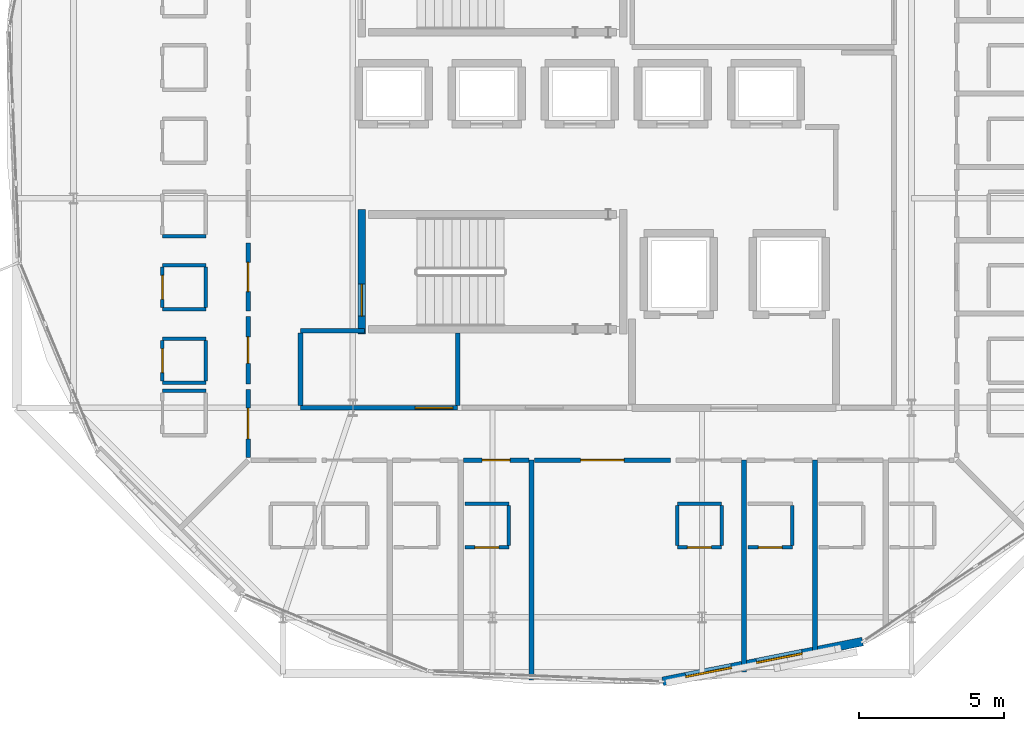
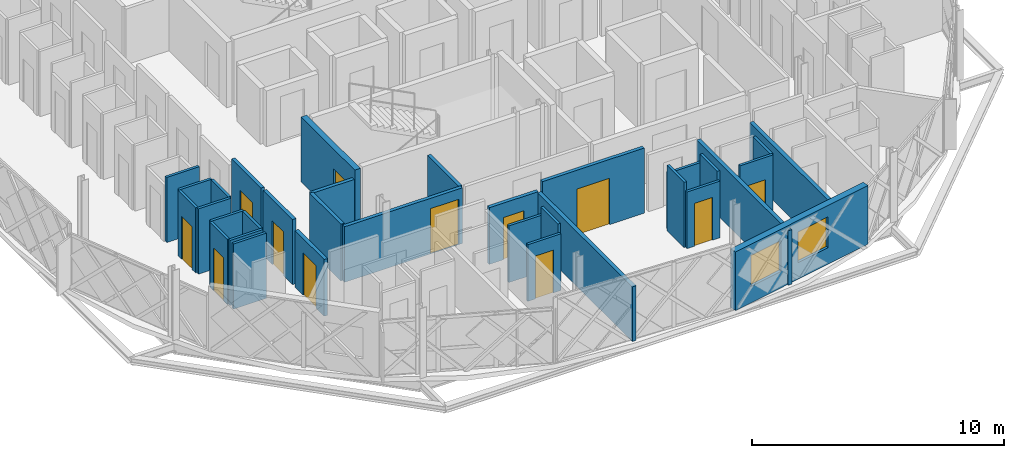
# One storey, part 13 of 24: 33 walls, 12 doors, 2 windows, 14 openings.
"""IFC4 building model written with IfcOpenShell, lengths in metres."""

from ifc_helpers import new_model, si_unit, direction, frame, frame_2d, origin, place, context, subcontext, project, spatial, rectangle, extrude, material, layer, layer_set, type_object, element, fill, save


model = new_model("IFC4")

# Units and contexts
model_context = context("Model", 3, precision=1e-05, world=origin(), true_north=direction((0.0, 1.0)))
body_context = subcontext(model_context, "Body", "Model", "MODEL_VIEW")
ifc_project = project(units=[si_unit("LENGTHUNIT", "METRE"), si_unit("AREAUNIT", "SQUARE_METRE"), si_unit("VOLUMEUNIT", "CUBIC_METRE"), si_unit("PLANEANGLEUNIT", "RADIAN"), si_unit("MASSUNIT", "GRAM", prefix="KILO")], contexts=[model_context])

# Site, building, storey
site_placement = place(None, origin())
site = spatial("IfcSite", under=ifc_project, at=site_placement, CompositionType="ELEMENT")
building_placement = place(site_placement, origin())
building = spatial("IfcBuilding", under=site, at=building_placement, Name="Zevrakil Square Congress Hotel", CompositionType="ELEMENT")
storey_placement = place(building_placement, frame((0.0, 0.0, 35.10009765625)))
storey = spatial("IfcBuildingStorey", under=building, at=storey_placement, Name="L10", CompositionType="ELEMENT", Elevation=35.10009765625)

# Wall, opening, door
ifc_material_1 = material(Name="Gypsum Acoustic Stud Partition")
ifc_layer_1 = layer(ifc_material_1, 0.159912109375)
ifc_layer_set_1 = layer_set([ifc_layer_1], Name="Gypsum Acoustic Stud Partition")
wall_type_1 = type_object("IfcWallType", Name="WAL-CORR-160", PredefinedType="PARTITIONING", material=ifc_layer_set_1)
wall_1_placement = place(storey_placement, frame((135.0, 16.800048828125, 0.0), z_axis=(0.0, 0.0, 1.0), x_axis=(1.0, 0.0, 0.0)))
wall_1 = element("IfcWall", 1, at=wall_1_placement, inside=storey, type_object=wall_type_1, Name="L10 interior partition PW-L10-1563", PredefinedType="PARTITIONING", context=body_context, shape_type="SweptSolid", body=[
    extrude(rectangle(XDim=5.39990234375, YDim=0.159912109375, at=frame_2d((2.699951171875, 0.0))), origin(), (0.0, 0.0, 1.0), 2.699951171875),
])
opening_1_placement = place(wall_1_placement, frame((3.93994140625, 0.0, 0.0)))
opening_1 = element("IfcOpeningElement", 2, at=opening_1_placement, cuts=wall_1, Name="Opening ID-08", PredefinedType="OPENING", context=body_context, shape_type="SweptSolid", body=[
    extrude(rectangle(XDim=1.300048828125, YDim=2.199951171875, at=frame_2d((0.64990234375, 1.10009765625))), frame((0.0, 0.08984375, 0.0), z_axis=(0.0, -1.0, 0.0), x_axis=(1.0, 0.0, 0.0)), (0.0, 0.0, 1.0), 0.179931640625),
])
ifc_material_2 = material(Name="Service Corridor Leaf-and-Half Door")
door_type_1 = type_object("IfcDoorType", Name="DOR-BOH-130", OperationType="NOTDEFINED", PredefinedType="DOOR", material=ifc_material_2)
door_1_placement = place(opening_1_placement, origin())
door_1 = element("IfcDoor", 3, at=door_1_placement, inside=storey, type_object=door_type_1, Name="L10 interior door 609", OperationType="SINGLE_SWING_LEFT", OverallHeight=2.199951171875, OverallWidth=1.300048828125, PredefinedType="DOOR", context=body_context, shape_type="SweptSolid", body=[
    extrude(rectangle(XDim=1.300048828125, YDim=2.199951171875, at=frame_2d((0.64990234375, 1.10009765625))), frame((0.0, 0.02490234375, 0.0), z_axis=(0.0, -1.0, 0.0), x_axis=(1.0, 0.0, 0.0)), (0.0, 0.0, 1.0), 0.050048828125),
])
fill(opening_1, door_1)

# Walls
wall_2_placement = place(storey_placement, frame((135.0, 16.885009765625, 0.0), z_axis=(0.0, 0.0, 1.0), x_axis=(0.0, 1.0, 0.0)))
element("IfcWall", 4, at=wall_2_placement, inside=storey, type_object=wall_type_1, Name="L10 interior partition PW-L10-1564", PredefinedType="PARTITIONING", context=body_context, shape_type="SweptSolid", body=[
    extrude(rectangle(XDim=2.47998046875, YDim=0.159912109375, at=frame_2d((1.239990234375, 0.0))), origin(), (0.0, 0.0, 1.0), 2.75),
])
wall_3_placement = place(storey_placement, frame((140.39990234375, 16.885009765625, 0.0), z_axis=(0.0, 0.0, 1.0), x_axis=(0.0, 1.0, 0.0)))
element("IfcWall", 5, at=wall_3_placement, inside=storey, type_object=wall_type_1, Name="L10 interior partition PW-L10-1565", PredefinedType="PARTITIONING", context=body_context, shape_type="SweptSolid", body=[
    extrude(rectangle(XDim=2.47998046875, YDim=0.159912109375, at=frame_2d((1.239990234375, 0.0))), origin(), (0.0, 0.0, 1.0), 2.699951171875),
])
wall_4_placement = place(storey_placement, frame((135.0, 19.449951171875, 0.0), z_axis=(0.0, 0.0, 1.0), x_axis=(1.0, 0.0, 0.0)))
element("IfcWall", 6, at=wall_4_placement, inside=storey, type_object=wall_type_1, Name="L10 interior partition PW-L10-1566", PredefinedType="PARTITIONING", context=body_context, shape_type="SweptSolid", body=[
    extrude(rectangle(XDim=2.199951171875, YDim=0.159912109375, at=frame_2d((1.10009765625, 0.0))), origin(), (0.0, 0.0, 1.0), 2.699951171875),
])

# Wall, opening, door
wall_5_placement = place(storey_placement, frame((143.034912109375, 15.0, 0.0), z_axis=(0.0, 0.0, 1.0), x_axis=(1.0, 0.0, 0.0)))
wall_5 = element("IfcWall", 7, at=wall_5_placement, inside=storey, type_object=wall_type_1, Name="L10 interior partition PW-L10-1581", PredefinedType="PARTITIONING", context=body_context, shape_type="SweptSolid", body=[
    extrude(rectangle(XDim=4.68017578125, YDim=0.159912109375, at=frame_2d((2.340087890625, 0.0))), origin(), (0.0, 0.0, 1.0), 3.164794921875),
])
opening_2_placement = place(wall_5_placement, frame((1.590087890625, 0.0, 0.0)))
opening_2 = element("IfcOpeningElement", 8, at=opening_2_placement, cuts=wall_5, Name="Opening ID-03", PredefinedType="OPENING", context=body_context, shape_type="SweptSolid", body=[
    extrude(rectangle(XDim=1.5, YDim=2.25, at=frame_2d((0.75, 1.125))), frame((0.0, 0.08984375, 0.0), z_axis=(0.0, -1.0, 0.0), x_axis=(1.0, 0.0, 0.0)), (0.0, 0.0, 1.0), 0.179931640625),
])
ifc_material_3 = material(Name="Acoustic Double Meeting Door")
door_type_2 = type_object("IfcDoorType", Name="DOR-MTG-150", OperationType="NOTDEFINED", PredefinedType="DOOR", material=ifc_material_3)
door_2_placement = place(opening_2_placement, origin())
door_2 = element("IfcDoor", 9, at=door_2_placement, inside=storey, type_object=door_type_2, Name="L10 interior door 614", OperationType="DOUBLE_DOOR_SINGLE_SWING", OverallHeight=2.25, OverallWidth=1.5, PredefinedType="DOOR", context=body_context, shape_type="SweptSolid", body=[
    extrude(rectangle(XDim=1.5, YDim=2.25, at=frame_2d((0.75, 1.125))), frame((0.0, 0.02490234375, 0.0), z_axis=(0.0, -1.0, 0.0), x_axis=(1.0, 0.0, 0.0)), (0.0, 0.0, 1.0), 0.050048828125),
])
fill(opening_2, door_2)

wall_6_placement = place(storey_placement, frame((140.60009765625, 15.0, 0.0), z_axis=(0.0, 0.0, 1.0), x_axis=(1.0, 0.0, 0.0)))
wall_6 = element("IfcWall", 10, at=wall_6_placement, inside=storey, type_object=wall_type_1, Name="L10 interior partition PW-L10-1599", PredefinedType="PARTITIONING", context=body_context, shape_type="SweptSolid", body=[
    extrude(rectangle(XDim=2.244873046875, YDim=0.159912109375, at=frame_2d((1.12255859375, 0.0))), origin(), (0.0, 0.0, 1.0), 2.75),
])
opening_3_placement = place(wall_6_placement, frame((0.64501953125, 0.0, 0.0)))
opening_3 = element("IfcOpeningElement", 11, at=opening_3_placement, cuts=wall_6, Name="Opening ID-G05", PredefinedType="OPENING", context=body_context, shape_type="SweptSolid", body=[
    extrude(rectangle(XDim=0.955078125, YDim=2.050048828125, at=frame_2d((0.4775390625, 1.02490234375))), frame((0.0, 0.08984375, 0.0), z_axis=(0.0, -1.0, 0.0), x_axis=(1.0, 0.0, 0.0)), (0.0, 0.0, 1.0), 0.179931640625),
])
ifc_material_4 = material(Name="Acoustic Timber Fire Door", Category="wood")
door_type_3 = type_object("IfcDoorType", Name="DOR-INT-G05", OperationType="NOTDEFINED", PredefinedType="DOOR", material=ifc_material_4)
door_3_placement = place(opening_3_placement, origin())
door_3 = element("IfcDoor", 12, at=door_3_placement, inside=storey, type_object=door_type_3, Name="L10 interior door 621", OperationType="SINGLE_SWING_LEFT", OverallHeight=2.050048828125, OverallWidth=0.955078125, PredefinedType="DOOR", context=body_context, shape_type="SweptSolid", body=[
    extrude(rectangle(XDim=0.955078125, YDim=2.050048828125, at=frame_2d((0.4775390625, 1.02490234375))), frame((0.0, 0.02490234375, 0.0), z_axis=(0.0, -1.0, 0.0), x_axis=(1.0, 0.0, 0.0)), (0.0, 0.0, 1.0), 0.050048828125),
])
fill(opening_3, door_3)

wall_7_placement = place(storey_placement, frame((133.199951171875, 20.135009765625, 0.0), z_axis=(0.0, 0.0, 1.0), x_axis=(0.0, 1.0, 0.0)))
wall_7 = element("IfcWall", 13, at=wall_7_placement, inside=storey, type_object=wall_type_1, Name="L10 interior partition PW-L10-1762", PredefinedType="PARTITIONING", context=body_context, shape_type="SweptSolid", body=[
    extrude(rectangle(XDim=2.330078125, YDim=0.159912109375, at=frame_2d((1.1650390625, 0.0))), origin(), (0.0, 0.0, 1.0), 3.164794921875),
])
opening_4_placement = place(wall_7_placement, frame((0.66259765625, 0.0, 0.0)))
opening_4 = element("IfcOpeningElement", 14, at=opening_4_placement, cuts=wall_7, Name="Opening ID-G07", PredefinedType="OPENING", context=body_context, shape_type="SweptSolid", body=[
    extrude(rectangle(XDim=1.0048828125, YDim=2.050048828125, at=frame_2d((0.50244140625, 1.02490234375))), frame((0.0, 0.08984375, 0.0), z_axis=(0.0, -1.0, 0.0), x_axis=(1.0, 0.0, 0.0)), (0.0, 0.0, 1.0), 0.179931640625),
])
ifc_material_5 = material(Name="Acoustic Timber Fire Door", Category="wood")
door_type_4 = type_object("IfcDoorType", Name="DOR-INT-G07", OperationType="NOTDEFINED", PredefinedType="DOOR", material=ifc_material_5)
door_4_placement = place(opening_4_placement, origin())
door_4 = element("IfcDoor", 15, at=door_4_placement, inside=storey, type_object=door_type_4, Name="L10 interior door 685", OperationType="SINGLE_SWING_LEFT", OverallHeight=2.050048828125, OverallWidth=1.0048828125, PredefinedType="DOOR", context=body_context, shape_type="SweptSolid", body=[
    extrude(rectangle(XDim=1.0048828125, YDim=2.050048828125, at=frame_2d((0.50244140625, 1.02490234375))), frame((0.0, 0.02490234375, 0.0), z_axis=(0.0, -1.0, 0.0), x_axis=(1.0, 0.0, 0.0)), (0.0, 0.0, 1.0), 0.050048828125),
])
fill(opening_4, door_4)

wall_8_placement = place(storey_placement, frame((133.199951171875, 17.614990234375, 0.0), z_axis=(0.0, 0.0, 1.0), x_axis=(0.0, 1.0, 0.0)))
wall_8 = element("IfcWall", 16, at=wall_8_placement, inside=storey, type_object=wall_type_1, Name="L10 interior partition PW-L10-1767", PredefinedType="PARTITIONING", context=body_context, shape_type="SweptSolid", body=[
    extrude(rectangle(XDim=2.330078125, YDim=0.159912109375, at=frame_2d((1.1650390625, 0.0))), origin(), (0.0, 0.0, 1.0), 3.164794921875),
])
opening_5_placement = place(wall_8_placement, frame((0.708984375, 0.0, 0.0)))
opening_5 = element("IfcOpeningElement", 17, at=opening_5_placement, cuts=wall_8, Name="Opening ID-H06", PredefinedType="OPENING", context=body_context, shape_type="SweptSolid", body=[
    extrude(rectangle(XDim=0.912109375, YDim=2.1298828125, at=frame_2d((0.4560546875, 1.06494140625))), frame((0.0, 0.08984375, 0.0), z_axis=(0.0, -1.0, 0.0), x_axis=(1.0, 0.0, 0.0)), (0.0, 0.0, 1.0), 0.179931640625),
])
ifc_material_6 = material(Name="Acoustic Timber Fire Door", Category="wood")
door_type_5 = type_object("IfcDoorType", Name="DOR-INT-H06", OperationType="NOTDEFINED", PredefinedType="DOOR", material=ifc_material_6)
door_5_placement = place(opening_5_placement, origin())
door_5 = element("IfcDoor", 18, at=door_5_placement, inside=storey, type_object=door_type_5, Name="L10 interior door 687", OperationType="SINGLE_SWING_LEFT", OverallHeight=2.1298828125, OverallWidth=0.912109375, PredefinedType="DOOR", context=body_context, shape_type="SweptSolid", body=[
    extrude(rectangle(XDim=0.912109375, YDim=2.1298828125, at=frame_2d((0.4560546875, 1.06494140625))), frame((0.0, 0.02490234375, 0.0), z_axis=(0.0, -1.0, 0.0), x_axis=(1.0, 0.0, 0.0)), (0.0, 0.0, 1.0), 0.050048828125),
])
fill(opening_5, door_5)

wall_9_placement = place(storey_placement, frame((133.199951171875, 15.094970703125, 0.0), z_axis=(0.0, 0.0, 1.0), x_axis=(0.0, 1.0, 0.0)))
wall_9 = element("IfcWall", 19, at=wall_9_placement, inside=storey, type_object=wall_type_1, Name="L10 interior partition PW-L10-1772", PredefinedType="PARTITIONING", context=body_context, shape_type="SweptSolid", body=[
    extrude(rectangle(XDim=2.330078125, YDim=0.159912109375, at=frame_2d((1.1650390625, 0.0))), origin(), (0.0, 0.0, 1.0), 2.75),
])
opening_6_placement = place(wall_9_placement, frame((0.637451171875, 0.0, 0.0)))
opening_6 = element("IfcOpeningElement", 20, at=opening_6_placement, cuts=wall_9, Name="Opening ID-G09", PredefinedType="OPENING", context=body_context, shape_type="SweptSolid", body=[
    extrude(rectangle(XDim=1.054931640625, YDim=2.050048828125, at=frame_2d((0.52734375, 1.02490234375))), frame((0.0, 0.08984375, 0.0), z_axis=(0.0, -1.0, 0.0), x_axis=(1.0, 0.0, 0.0)), (0.0, 0.0, 1.0), 0.179931640625),
])
ifc_material_7 = material(Name="Acoustic Timber Fire Door", Category="wood")
door_type_6 = type_object("IfcDoorType", Name="DOR-INT-G09", OperationType="NOTDEFINED", PredefinedType="DOOR", material=ifc_material_7)
door_6_placement = place(opening_6_placement, origin())
door_6 = element("IfcDoor", 21, at=door_6_placement, inside=storey, type_object=door_type_6, Name="L10 interior door 689", OperationType="SINGLE_SWING_LEFT", OverallHeight=2.050048828125, OverallWidth=1.054931640625, PredefinedType="DOOR", context=body_context, shape_type="SweptSolid", body=[
    extrude(rectangle(XDim=1.054931640625, YDim=2.050048828125, at=frame_2d((0.52734375, 1.02490234375))), frame((0.0, 0.02490234375, 0.0), z_axis=(0.0, -1.0, 0.0), x_axis=(1.0, 0.0, 0.0)), (0.0, 0.0, 1.0), 0.050048828125),
])
fill(opening_6, door_6)

ifc_material_8 = material(Name="Moisture-Resistant Gypsum Partition")
ifc_layer_2 = layer(ifc_material_8, 0.1201171875)
ifc_layer_set_2 = layer_set([ifc_layer_2], Name="Moisture-Resistant Gypsum Partition")
wall_type_2 = type_object("IfcWallType", Name="WAL-ENS-120", PredefinedType="PARTITIONING", material=ifc_layer_set_2)
wall_10_placement = place(storey_placement, frame((140.64501953125, 12.0, 0.0), z_axis=(0.0, 0.0, 1.0), x_axis=(1.0, 0.0, 0.0)))
wall_10 = element("IfcWall", 22, at=wall_10_placement, inside=storey, type_object=wall_type_2, Name="L10 interior partition PW-L10-1600", PredefinedType="PARTITIONING", context=body_context, shape_type="SweptSolid", body=[
    extrude(rectangle(XDim=1.52001953125, YDim=0.1201171875, at=frame_2d((0.760009765625, 0.0))), origin(), (0.0, 0.0, 1.0), 2.75),
])
opening_7_placement = place(wall_10_placement, frame((0.35009765625, 0.0, 0.0)))
opening_7 = element("IfcOpeningElement", 23, at=opening_7_placement, cuts=wall_10, Name="Opening ID-11", PredefinedType="OPENING", context=body_context, shape_type="SweptSolid", body=[
    extrude(rectangle(XDim=0.820068359375, YDim=2.080078125, at=frame_2d((0.41015625, 1.0400390625))), frame((0.0, 0.070068359375, 0.0), z_axis=(0.0, -1.0, 0.0), x_axis=(1.0, 0.0, 0.0)), (0.0, 0.0, 1.0), 0.14013671875),
])
ifc_material_9 = material(Name="Acoustic Timber Door", Category="wood")
door_type_7 = type_object("IfcDoorType", Name="DOR-INT-V01", OperationType="NOTDEFINED", PredefinedType="DOOR", material=ifc_material_9)
door_7_placement = place(opening_7_placement, origin())
door_7 = element("IfcDoor", 24, at=door_7_placement, inside=storey, type_object=door_type_7, Name="L10 interior door 622", OperationType="SINGLE_SWING_RIGHT", OverallHeight=2.080078125, OverallWidth=0.820068359375, PredefinedType="DOOR", context=body_context, shape_type="SweptSolid", body=[
    extrude(rectangle(XDim=0.820068359375, YDim=2.080078125, at=frame_2d((0.41015625, 1.0400390625))), frame((0.0, 0.02490234375, 0.0), z_axis=(0.0, -1.0, 0.0), x_axis=(1.0, 0.0, 0.0)), (0.0, 0.0, 1.0), 0.050048828125),
])
fill(opening_7, door_7)

# Walls
wall_11_placement = place(storey_placement, frame((140.64501953125, 13.5, 0.0), z_axis=(0.0, 0.0, 1.0), x_axis=(1.0, 0.0, 0.0)))
element("IfcWall", 25, at=wall_11_placement, inside=storey, type_object=wall_type_2, Name="L10 interior partition PW-L10-1601", PredefinedType="PARTITIONING", context=body_context, shape_type="SweptSolid", body=[
    extrude(rectangle(XDim=1.52001953125, YDim=0.1201171875, at=frame_2d((0.760009765625, 0.0))), origin(), (0.0, 0.0, 1.0), 2.75),
])
wall_12_placement = place(storey_placement, frame((142.1650390625, 12.06494140625, 0.0), z_axis=(0.0, 0.0, 1.0), x_axis=(0.0, 1.0, 0.0)))
element("IfcWall", 26, at=wall_12_placement, inside=storey, type_object=wall_type_2, Name="L10 interior partition PW-L10-1602", PredefinedType="PARTITIONING", context=body_context, shape_type="SweptSolid", body=[
    extrude(rectangle(XDim=1.3701171875, YDim=0.1201171875, at=frame_2d((0.68505859375, 0.0))), origin(), (0.0, 0.0, 1.0), 3.164794921875),
])

# Wall, opening, door
wall_13_placement = place(storey_placement, frame((147.949951171875, 12.0, 0.0), z_axis=(0.0, 0.0, 1.0), x_axis=(1.0, 0.0, 0.0)))
wall_13 = element("IfcWall", 27, at=wall_13_placement, inside=storey, type_object=wall_type_2, Name="L10 interior partition PW-L10-1605", PredefinedType="PARTITIONING", context=body_context, shape_type="SweptSolid", body=[
    extrude(rectangle(XDim=1.52001953125, YDim=0.1201171875, at=frame_2d((0.760009765625, 0.0))), origin(), (0.0, 0.0, 1.0), 2.75),
])
opening_8_placement = place(wall_13_placement, frame((0.35009765625, 0.0, 0.0)))
opening_8 = element("IfcOpeningElement", 28, at=opening_8_placement, cuts=wall_13, Name="Opening ID-11", PredefinedType="OPENING", context=body_context, shape_type="SweptSolid", body=[
    extrude(rectangle(XDim=0.820068359375, YDim=2.080078125, at=frame_2d((0.41015625, 1.0400390625))), frame((0.0, 0.070068359375, 0.0), z_axis=(0.0, -1.0, 0.0), x_axis=(1.0, 0.0, 0.0)), (0.0, 0.0, 1.0), 0.14013671875),
])
door_8_placement = place(opening_8_placement, origin())
door_8 = element("IfcDoor", 29, at=door_8_placement, inside=storey, type_object=door_type_7, Name="L10 interior door 624", OperationType="SINGLE_SWING_RIGHT", OverallHeight=2.080078125, OverallWidth=0.820068359375, PredefinedType="DOOR", context=body_context, shape_type="SweptSolid", body=[
    extrude(rectangle(XDim=0.820068359375, YDim=2.080078125, at=frame_2d((0.41015625, 1.0400390625))), frame((0.0, 0.02490234375, 0.0), z_axis=(0.0, -1.0, 0.0), x_axis=(1.0, 0.0, 0.0)), (0.0, 0.0, 1.0), 0.050048828125),
])
fill(opening_8, door_8)

# Walls
wall_14_placement = place(storey_placement, frame((147.949951171875, 13.5, 0.0), z_axis=(0.0, 0.0, 1.0), x_axis=(1.0, 0.0, 0.0)))
element("IfcWall", 30, at=wall_14_placement, inside=storey, type_object=wall_type_2, Name="L10 interior partition PW-L10-1606", PredefinedType="PARTITIONING", context=body_context, shape_type="SweptSolid", body=[
    extrude(rectangle(XDim=1.52001953125, YDim=0.1201171875, at=frame_2d((0.760009765625, 0.0))), origin(), (0.0, 0.0, 1.0), 2.75),
])
for number, where, z_axis, x_axis, name in (
    (31, (147.949951171875, 12.06494140625, 0.0), (0.0, 0.0, 1.0), (0.0, 1.0, 0.0), "L10 interior partition PW-L10-1607"),
    (32, (149.469970703125, 12.06494140625, 0.0), (0.0, 0.0, 1.0), (0.0, 1.0, 0.0), "L10 interior partition PW-L10-1608"),
):
    element("IfcWall", number, at=place(storey_placement, frame(where, z_axis=z_axis, x_axis=x_axis)), inside=storey, type_object=wall_type_2, Name=name, PredefinedType="PARTITIONING", context=body_context, shape_type="SweptSolid", body=[
        extrude(rectangle(XDim=1.3701171875, YDim=0.1201171875, at=frame_2d((0.68505859375, 0.0))), origin(), (0.0, 0.0, 1.0), 3.164794921875),
    ])

# Wall, opening, door
wall_15_placement = place(storey_placement, frame((150.385009765625, 12.0, 0.0), z_axis=(0.0, 0.0, 1.0), x_axis=(1.0, 0.0, 0.0)))
wall_15 = element("IfcWall", 33, at=wall_15_placement, inside=storey, type_object=wall_type_2, Name="L10 interior partition PW-L10-1611", PredefinedType="PARTITIONING", context=body_context, shape_type="SweptSolid", body=[
    extrude(rectangle(XDim=1.52001953125, YDim=0.1201171875, at=frame_2d((0.760009765625, 0.0))), origin(), (0.0, 0.0, 1.0), 3.164794921875),
])
opening_9_placement = place(wall_15_placement, frame((0.35009765625, 0.0, 0.0)))
opening_9 = element("IfcOpeningElement", 34, at=opening_9_placement, cuts=wall_15, Name="Opening ID-11", PredefinedType="OPENING", context=body_context, shape_type="SweptSolid", body=[
    extrude(rectangle(XDim=0.820068359375, YDim=2.080078125, at=frame_2d((0.41015625, 1.0400390625))), frame((0.0, 0.070068359375, 0.0), z_axis=(0.0, -1.0, 0.0), x_axis=(1.0, 0.0, 0.0)), (0.0, 0.0, 1.0), 0.14013671875),
])
door_9_placement = place(opening_9_placement, origin())
door_9 = element("IfcDoor", 35, at=door_9_placement, inside=storey, type_object=door_type_7, Name="L10 interior door 626", OperationType="SINGLE_SWING_RIGHT", OverallHeight=2.080078125, OverallWidth=0.820068359375, PredefinedType="DOOR", context=body_context, shape_type="SweptSolid", body=[
    extrude(rectangle(XDim=0.820068359375, YDim=2.080078125, at=frame_2d((0.41015625, 1.0400390625))), frame((0.0, 0.02490234375, 0.0), z_axis=(0.0, -1.0, 0.0), x_axis=(1.0, 0.0, 0.0)), (0.0, 0.0, 1.0), 0.050048828125),
])
fill(opening_9, door_9)

# Walls
wall_16_placement = place(storey_placement, frame((151.905029296875, 12.06494140625, 0.0), z_axis=(0.0, 0.0, 1.0), x_axis=(0.0, 1.0, 0.0)))
element("IfcWall", 36, at=wall_16_placement, inside=storey, type_object=wall_type_2, Name="L10 interior partition PW-L10-1613", PredefinedType="PARTITIONING", context=body_context, shape_type="SweptSolid", body=[
    extrude(rectangle(XDim=1.3701171875, YDim=0.1201171875, at=frame_2d((0.68505859375, 0.0))), origin(), (0.0, 0.0, 1.0), 3.164794921875),
])
for number, where, z_axis, x_axis, name in (
    (37, (130.25, 22.699951171875, 0.0), (0.0, 0.0, 1.0), (1.0, 0.0, 0.0), "L10 interior partition PW-L10-1758"),
    (38, (130.25, 20.179931640625, 0.0), (0.0, 0.0, 1.0), (1.0, 0.0, 0.0), "L10 interior partition PW-L10-1763"),
    (39, (130.25, 21.699951171875, 0.0), (0.0, 0.0, 1.0), (1.0, 0.0, 0.0), "L10 interior partition PW-L10-1764"),
):
    element("IfcWall", number, at=place(storey_placement, frame(where, z_axis=z_axis, x_axis=x_axis)), inside=storey, type_object=wall_type_2, Name=name, PredefinedType="PARTITIONING", context=body_context, shape_type="SweptSolid", body=[
        extrude(rectangle(XDim=1.5, YDim=0.1201171875, at=frame_2d((0.75, 0.0))), origin(), (0.0, 0.0, 1.0), 3.164794921875),
    ])

# Wall, opening, door
wall_17_placement = place(storey_placement, frame((130.25, 20.2451171875, 0.0), z_axis=(0.0, 0.0, 1.0), x_axis=(0.0, 1.0, 0.0)))
wall_17 = element("IfcWall", 40, at=wall_17_placement, inside=storey, type_object=wall_type_2, Name="L10 interior partition PW-L10-1765", PredefinedType="PARTITIONING", context=body_context, shape_type="SweptSolid", body=[
    extrude(rectangle(XDim=1.389892578125, YDim=0.1201171875, at=frame_2d((0.69482421875, 0.0))), origin(), (0.0, 0.0, 1.0), 3.164794921875),
])
opening_10_placement = place(wall_17_placement, frame((0.284912109375, 0.0, 0.0)))
opening_10 = element("IfcOpeningElement", 41, at=opening_10_placement, cuts=wall_17, Name="Opening ID-11", PredefinedType="OPENING", context=body_context, shape_type="SweptSolid", body=[
    extrude(rectangle(XDim=0.820068359375, YDim=2.080078125, at=frame_2d((0.41015625, 1.0400390625))), frame((0.0, 0.070068359375, 0.0), z_axis=(0.0, -1.0, 0.0), x_axis=(1.0, 0.0, 0.0)), (0.0, 0.0, 1.0), 0.14013671875),
])
door_10_placement = place(opening_10_placement, origin())
door_10 = element("IfcDoor", 42, at=door_10_placement, inside=storey, type_object=door_type_7, Name="L10 interior door 686", OperationType="SINGLE_SWING_RIGHT", OverallHeight=2.080078125, OverallWidth=0.820068359375, PredefinedType="DOOR", context=body_context, shape_type="SweptSolid", body=[
    extrude(rectangle(XDim=0.820068359375, YDim=2.080078125, at=frame_2d((0.41015625, 1.0400390625))), frame((0.0, 0.02490234375, 0.0), z_axis=(0.0, -1.0, 0.0), x_axis=(1.0, 0.0, 0.0)), (0.0, 0.0, 1.0), 0.050048828125),
])
fill(opening_10, door_10)

# Walls
wall_18_placement = place(storey_placement, frame((131.75, 20.2451171875, 0.0), z_axis=(0.0, 0.0, 1.0), x_axis=(0.0, 1.0, 0.0)))
element("IfcWall", 43, at=wall_18_placement, inside=storey, type_object=wall_type_2, Name="L10 interior partition PW-L10-1766", PredefinedType="PARTITIONING", context=body_context, shape_type="SweptSolid", body=[
    extrude(rectangle(XDim=1.389892578125, YDim=0.1201171875, at=frame_2d((0.69482421875, 0.0))), origin(), (0.0, 0.0, 1.0), 3.164794921875),
])
for number, where, z_axis, x_axis, name in (
    (44, (130.25, 17.659912109375, 0.0), (0.0, 0.0, 1.0), (1.0, 0.0, 0.0), "L10 interior partition PW-L10-1768"),
    (45, (130.25, 19.179931640625, 0.0), (0.0, 0.0, 1.0), (1.0, 0.0, 0.0), "L10 interior partition PW-L10-1769"),
):
    element("IfcWall", number, at=place(storey_placement, frame(where, z_axis=z_axis, x_axis=x_axis)), inside=storey, type_object=wall_type_2, Name=name, PredefinedType="PARTITIONING", context=body_context, shape_type="SweptSolid", body=[
        extrude(rectangle(XDim=1.5, YDim=0.1201171875, at=frame_2d((0.75, 0.0))), origin(), (0.0, 0.0, 1.0), 3.164794921875),
    ])

# Wall, opening, door
wall_19_placement = place(storey_placement, frame((130.25, 17.72509765625, 0.0), z_axis=(0.0, 0.0, 1.0), x_axis=(0.0, 1.0, 0.0)))
wall_19 = element("IfcWall", 46, at=wall_19_placement, inside=storey, type_object=wall_type_2, Name="L10 interior partition PW-L10-1770", PredefinedType="PARTITIONING", context=body_context, shape_type="SweptSolid", body=[
    extrude(rectangle(XDim=1.389892578125, YDim=0.1201171875, at=frame_2d((0.69482421875, 0.0))), origin(), (0.0, 0.0, 1.0), 3.164794921875),
])
opening_11_placement = place(wall_19_placement, frame((0.284912109375, 0.0, 0.0)))
opening_11 = element("IfcOpeningElement", 47, at=opening_11_placement, cuts=wall_19, Name="Opening ID-11", PredefinedType="OPENING", context=body_context, shape_type="SweptSolid", body=[
    extrude(rectangle(XDim=0.820068359375, YDim=2.080078125, at=frame_2d((0.41015625, 1.0400390625))), frame((0.0, 0.070068359375, 0.0), z_axis=(0.0, -1.0, 0.0), x_axis=(1.0, 0.0, 0.0)), (0.0, 0.0, 1.0), 0.14013671875),
])
door_11_placement = place(opening_11_placement, origin())
door_11 = element("IfcDoor", 48, at=door_11_placement, inside=storey, type_object=door_type_7, Name="L10 interior door 688", OperationType="SINGLE_SWING_RIGHT", OverallHeight=2.080078125, OverallWidth=0.820068359375, PredefinedType="DOOR", context=body_context, shape_type="SweptSolid", body=[
    extrude(rectangle(XDim=0.820068359375, YDim=2.080078125, at=frame_2d((0.41015625, 1.0400390625))), frame((0.0, 0.02490234375, 0.0), z_axis=(0.0, -1.0, 0.0), x_axis=(1.0, 0.0, 0.0)), (0.0, 0.0, 1.0), 0.050048828125),
])
fill(opening_11, door_11)

# Walls
wall_20_placement = place(storey_placement, frame((131.75, 17.72509765625, 0.0), z_axis=(0.0, 0.0, 1.0), x_axis=(0.0, 1.0, 0.0)))
element("IfcWall", 49, at=wall_20_placement, inside=storey, type_object=wall_type_2, Name="L10 interior partition PW-L10-1771", PredefinedType="PARTITIONING", context=body_context, shape_type="SweptSolid", body=[
    extrude(rectangle(XDim=1.389892578125, YDim=0.1201171875, at=frame_2d((0.69482421875, 0.0))), origin(), (0.0, 0.0, 1.0), 3.164794921875),
])
wall_21_placement = place(storey_placement, frame((130.25, 17.3798828125, 0.0), z_axis=(0.0, 0.0, 1.0), x_axis=(1.0, 0.0, 0.0)))
element("IfcWall", 50, at=wall_21_placement, inside=storey, type_object=wall_type_2, Name="L10 interior partition PW-L10-1774", PredefinedType="PARTITIONING", context=body_context, shape_type="SweptSolid", body=[
    extrude(rectangle(XDim=1.5, YDim=0.1201171875, at=frame_2d((0.75, 0.0))), origin(), (0.0, 0.0, 1.0), 3.164794921875),
])

# Wall, openings, windows
ifc_material_10 = material(Name="Precast concrete C40/50", Category="concrete")
ifc_layer_3 = layer(ifc_material_10, 0.300048828125)
ifc_layer_set_3 = layer_set([ifc_layer_3], Name="Precast concrete C40/50")
wall_type_3 = type_object("IfcWallType", Name="WAL-EXT-DRM-300", PredefinedType="SOLIDWALL", material=ifc_layer_set_3)
wall_22_placement = place(storey_placement, frame((147.447021484375, 7.39794921875, 0.0), z_axis=(0.0, 0.0, 1.0), x_axis=(0.980786545094, 0.19508396388, 0.0)))
wall_22 = element("IfcWall", 51, at=wall_22_placement, inside=storey, type_object=wall_type_3, Name="L10 exterior GRC wall EW-L10-0133", PredefinedType="SOLIDWALL", context=body_context, shape_type="SweptSolid", body=[
    extrude(rectangle(XDim=7.005615234375, YDim=0.300048828125, at=frame_2d((3.5029296875, 0.0))), origin(), (0.0, 0.0, 1.0), 2.849853515625),
])
opening_12_placement = place(wall_22_placement, frame((0.8115234375, 0.0, 0.800048828125)))
opening_12 = element("IfcOpeningElement", 52, at=opening_12_placement, cuts=wall_22, Name="Opening WN-09", PredefinedType="OPENING", context=body_context, shape_type="SweptSolid", body=[
    extrude(rectangle(XDim=1.60009765625, YDim=1.5, at=frame_2d((0.800048828125, 0.75))), frame((0.0, 0.16015625, 0.0), z_axis=(0.0, -1.0, 0.0), x_axis=(1.0, 0.0, 0.0)), (0.0, 0.0, 1.0), 0.320068359375),
])
opening_13_placement = place(wall_22_placement, frame((3.294189453125, 0.0, 0.800048828125)))
opening_13 = element("IfcOpeningElement", 53, at=opening_13_placement, cuts=wall_22, Name="Opening WN-09", PredefinedType="OPENING", context=body_context, shape_type="SweptSolid", body=[
    extrude(rectangle(XDim=1.60009765625, YDim=1.5, at=frame_2d((0.800048828125, 0.75))), frame((0.0, 0.16015625, 0.0), z_axis=(0.0, -1.0, 0.0), x_axis=(1.0, 0.0, 0.0)), (0.0, 0.0, 1.0), 0.320068359375),
])
ifc_material_11 = material(Name="Low-E Solar Control Double Glazing", Category="glass")
window_type = type_object("IfcWindowType", Name="WIN-EXT-09", PartitioningType="SINGLE_PANEL", PredefinedType="WINDOW", material=ifc_material_11)
window_1_placement = place(opening_12_placement, origin())
window_1 = element("IfcWindow", 54, at=window_1_placement, inside=storey, type_object=window_type, Name="L10 hotel guestroom low-E window 110", OverallHeight=1.5, OverallWidth=1.60009765625, PartitioningType="SINGLE_PANEL", PredefinedType="WINDOW", context=body_context, shape_type="SweptSolid", body=[
    extrude(rectangle(XDim=1.60009765625, YDim=1.5, at=frame_2d((0.800048828125, 0.75))), frame((0.0, 0.030029296875, 0.0), z_axis=(0.0, -1.0, 0.0), x_axis=(1.0, 0.0, 0.0)), (0.0, 0.0, 1.0), 0.06005859375),
])
fill(opening_12, window_1)
window_2_placement = place(opening_13_placement, origin())
window_2 = element("IfcWindow", 55, at=window_2_placement, inside=storey, type_object=window_type, Name="L10 hotel guestroom low-E window 111", OverallHeight=1.5, OverallWidth=1.60009765625, PartitioningType="SINGLE_PANEL", PredefinedType="WINDOW", context=body_context, shape_type="SweptSolid", body=[
    extrude(rectangle(XDim=1.60009765625, YDim=1.5, at=frame_2d((0.800048828125, 0.75))), frame((0.0, 0.030029296875, 0.0), z_axis=(0.0, -1.0, 0.0), x_axis=(1.0, 0.0, 0.0)), (0.0, 0.0, 1.0), 0.06005859375),
])
fill(opening_13, window_2)

# Walls
ifc_material_12 = material(Name="Gypsum Twin-Stud Party Partition")
ifc_layer_4 = layer(ifc_material_12, 0.179931640625)
ifc_layer_set_4 = layer_set([ifc_layer_4], Name="Gypsum Twin-Stud Party Partition")
wall_type_4 = type_object("IfcWallType", Name="WAL-PARTY-180", PredefinedType="PARTITIONING", material=ifc_layer_set_4)
wall_23_placement = place(storey_placement, frame((142.93994140625, 7.45166015625, 0.0), z_axis=(0.0, 0.0, 1.0), x_axis=(0.0, 1.0, 0.0)))
element("IfcWall", 56, at=wall_23_placement, inside=storey, type_object=wall_type_4, Name="L10 interior partition PW-L10-1603", PredefinedType="PARTITIONING", context=body_context, shape_type="SweptSolid", body=[
    extrude(rectangle(XDim=7.54833984375, YDim=0.179931640625, at=frame_2d((3.774169921875, 0.0))), origin(), (0.0, 0.0, 1.0), 2.64990234375),
])
wall_24_placement = place(storey_placement, frame((150.2451171875, 7.72607421875, 0.0), z_axis=(0.0, 0.0, 1.0), x_axis=(0.0, 1.0, 0.0)))
element("IfcWall", 57, at=wall_24_placement, inside=storey, type_object=wall_type_4, Name="L10 interior partition PW-L10-1609", PredefinedType="PARTITIONING", context=body_context, shape_type="SweptSolid", body=[
    extrude(rectangle(XDim=7.27392578125, YDim=0.179931640625, at=frame_2d((3.636962890625, 0.0))), origin(), (0.0, 0.0, 1.0), 2.64990234375),
])
wall_25_placement = place(storey_placement, frame((152.679931640625, 8.326416015625, 0.0), z_axis=(0.0, 0.0, 1.0), x_axis=(0.0, 1.0, 0.0)))
element("IfcWall", 58, at=wall_25_placement, inside=storey, type_object=wall_type_4, Name="L10 interior partition PW-L10-1614", PredefinedType="PARTITIONING", context=body_context, shape_type="SweptSolid", body=[
    extrude(rectangle(XDim=6.673583984375, YDim=0.179931640625, at=frame_2d((3.3369140625, 0.0))), origin(), (0.0, 0.0, 1.0), 2.64990234375),
])

# Wall, opening, door
ifc_material_13 = material(Name="Concrete C40/50", Category="concrete")
ifc_layer_5 = layer(ifc_material_13, 0.260009765625)
ifc_layer_set_5 = layer_set([ifc_layer_5], Name="Concrete C40/50")
wall_type_5 = type_object("IfcWallType", Name="WAL-SHAFT-260", PredefinedType="SHEAR", material=ifc_layer_set_5)
wall_26_placement = place(storey_placement, frame((137.10498046875, 19.340087890625, 0.0), z_axis=(0.0, 0.0, 1.0), x_axis=(0.0, 1.0, 0.0)))
wall_26 = element("IfcWall", 59, at=wall_26_placement, inside=storey, type_object=wall_type_5, Name="L10 ST01 stair shaft W wall", PredefinedType="SHEAR", context=body_context, shape_type="SweptSolid", body=[
    extrude(rectangle(XDim=4.27001953125, YDim=0.260009765625, at=frame_2d((2.135009765625, 0.0))), origin(), (0.0, 0.0, 1.0), 3.164794921875),
])
opening_14_placement = place(wall_26_placement, frame((0.610107421875, 0.0, 0.0)))
opening_14 = element("IfcOpeningElement", 60, at=opening_14_placement, cuts=wall_26, Name="Opening SD-ST01", PredefinedType="OPENING", context=body_context, shape_type="SweptSolid", body=[
    extrude(rectangle(XDim=1.10009765625, YDim=2.199951171875, at=frame_2d((0.550048828125, 1.10009765625))), frame((0.0, 0.14013671875, 0.0), z_axis=(0.0, -1.0, 0.0), x_axis=(1.0, 0.0, 0.0)), (0.0, 0.0, 1.0), 0.280029296875),
])
ifc_material_14 = material(Name="Steel S355 Fire-Rated Door", Category="steel")
door_type_8 = type_object("IfcDoorType", Name="DOR-STAIR-FD90-110", OperationType="NOTDEFINED", PredefinedType="DOOR", material=ifc_material_14)
door_12_placement = place(opening_14_placement, origin())
door_12 = element("IfcDoor", 61, at=door_12_placement, inside=storey, type_object=door_type_8, Name="L10 ST01 protected stair fire door", OperationType="SINGLE_SWING_LEFT", OverallHeight=2.199951171875, OverallWidth=1.10009765625, PredefinedType="DOOR", context=body_context, shape_type="SweptSolid", body=[
    extrude(rectangle(XDim=1.10009765625, YDim=2.199951171875, at=frame_2d((0.550048828125, 1.10009765625))), frame((0.0, 0.02490234375, 0.0), z_axis=(0.0, -1.0, 0.0), x_axis=(1.0, 0.0, 0.0)), (0.0, 0.0, 1.0), 0.050048828125),
])
fill(opening_14, door_12)

save(model, "model.ifc")
